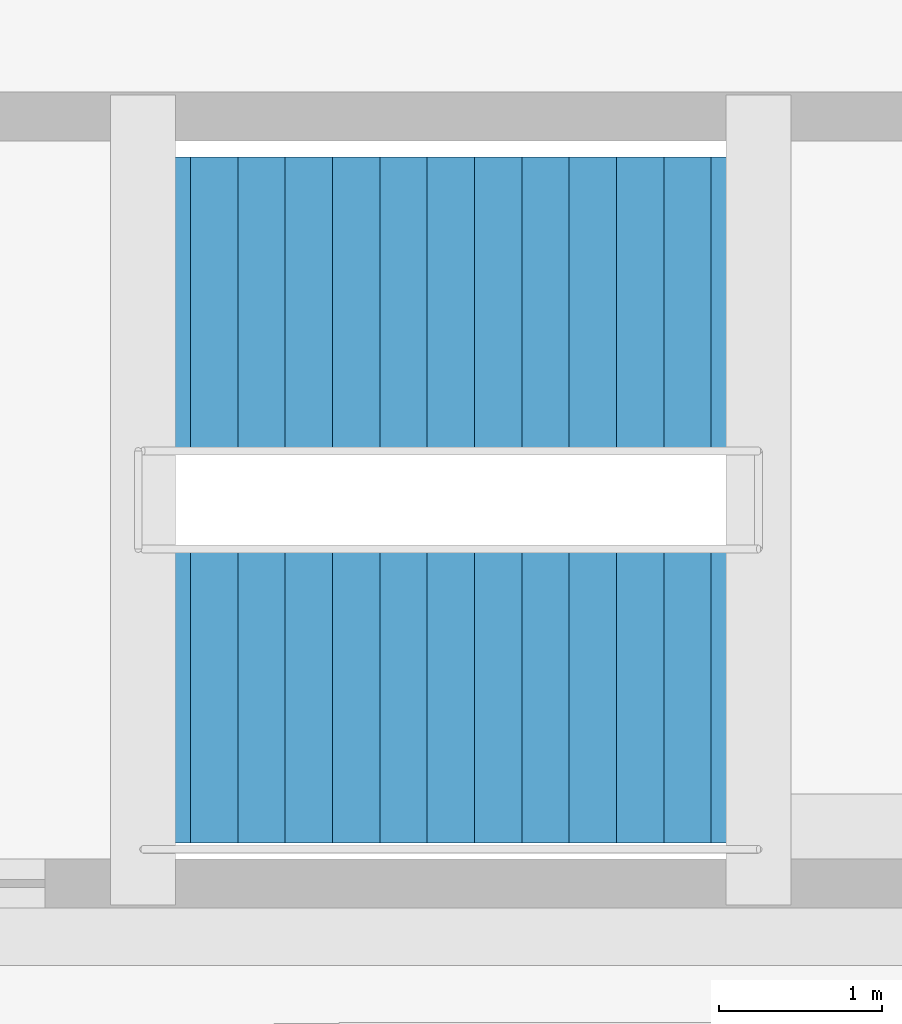
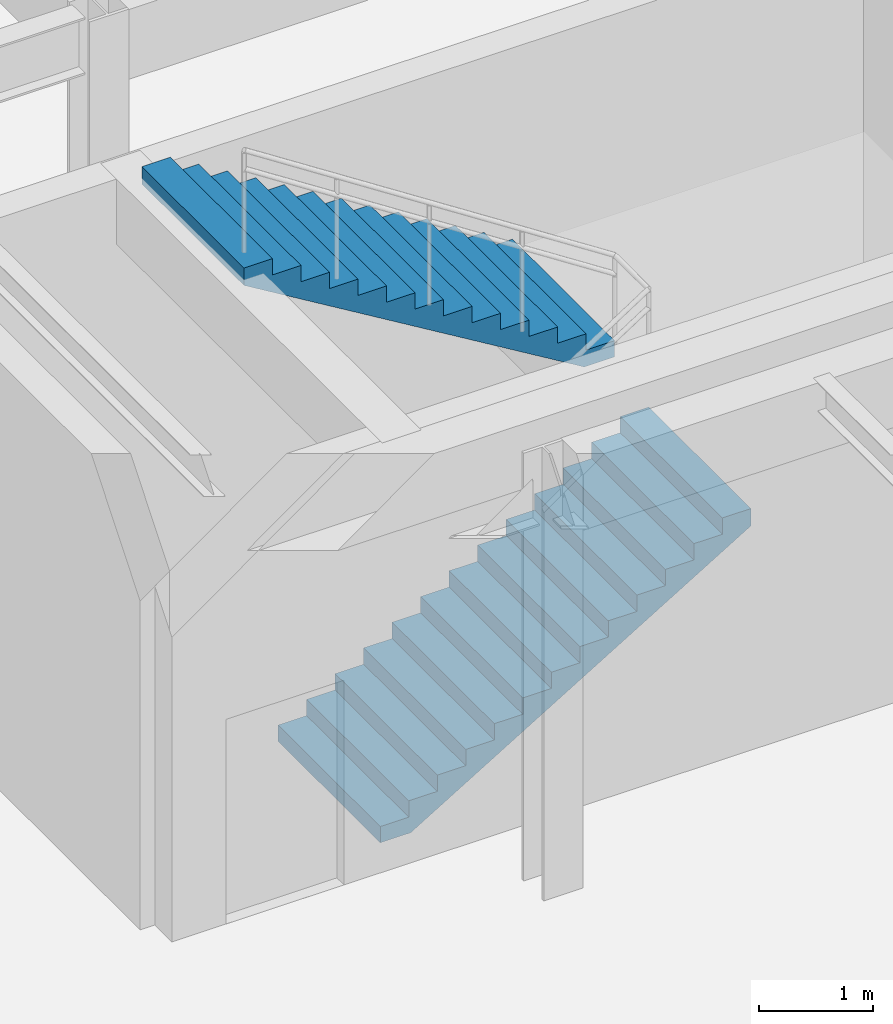
# One storey, part 49 of 60: 2 stair flights, 1 element without a shape of its own.
"""IFC4 building model written with IfcOpenShell, lengths in metres."""

from ifc_helpers import new_model, si_unit, direction, frame, origin, place, context, subcontext, project, spatial, polyline, outline, extrude, material, type_object, element, aggregate, save


model = new_model("IFC4")

# Units and contexts
model_context = context("Model", 3, precision=1e-05, world=origin(), true_north=direction((0.0, 1.0)))
body_context = subcontext(model_context, "Body", "Model", "MODEL_VIEW")
ifc_project = project(units=[si_unit("LENGTHUNIT", "METRE"), si_unit("AREAUNIT", "SQUARE_METRE"), si_unit("VOLUMEUNIT", "CUBIC_METRE"), si_unit("PLANEANGLEUNIT", "RADIAN"), si_unit("MASSUNIT", "GRAM", prefix="KILO")], contexts=[model_context])

# Site, building, storey
site_placement = place(None, origin())
site = spatial("IfcSite", under=ifc_project, at=site_placement, CompositionType="ELEMENT")
building_placement = place(site_placement, origin())
building = spatial("IfcBuilding", under=site, at=building_placement, Name="Varnela Railside Interchange", CompositionType="ELEMENT")
storey_placement = place(building_placement, frame((0.0, 0.0, 6.300048828125)))
storey = spatial("IfcBuildingStorey", under=building, at=storey_placement, Name="L01", CompositionType="ELEMENT", Elevation=6.300048828125)

# Stair, stair flights
ifc_material = material(Name="Concrete C40", Category="concrete")
stair_type = type_object("IfcStairType", Name="Study Pavilion Stair ST-180", PredefinedType="TWO_STRAIGHT_RUN_STAIR", material=ifc_material)
stair_placement = place(storey_placement, origin())
stair = element("IfcStair", 1, at=stair_placement, inside=storey, type_object=stair_type, Name="Stair ST-E2 (L01) (SF-139)", PredefinedType="TWO_STRAIGHT_RUN_STAIR")
stair_flight_type = type_object("IfcStairFlightType", Name="Concrete Stair Flight SF-180", PredefinedType="STRAIGHT", material=ifc_material)
stair_flight_1_placement = place(storey_placement, frame((131.0, 80.199951171875, 0.0), z_axis=(0.0, 0.0, 1.0), x_axis=(1.0, 0.0, 0.0)))
stair_flight_1 = element("IfcStairFlight", 2, at=stair_flight_1_placement, type_object=stair_flight_type, Name="ST-E2 flight 1 (SF-140)", NumberOfRisers=14, NumberOfTreads=13, PredefinedType="STRAIGHT", RiserHeight=0.175, TreadLength=0.29, context=body_context, shape_type="SweptSolid", body=[
    extrude(outline(polyline([(0.0, 0.0), (0.0, 0.175048828125), (0.2900390625, 0.175048828125), (0.2900390625, 0.35009765625), (0.580078125, 0.35009765625), (0.580078125, 0.52490234375), (0.8701171875, 0.52490234375), (0.8701171875, 0.699951171875), (1.159912109375, 0.699951171875), (1.159912109375, 0.875), (1.449951171875, 0.875), (1.449951171875, 1.050048828125), (1.739990234375, 1.050048828125), (1.739990234375, 1.22509765625), (2.030029296875, 1.22509765625), (2.030029296875, 1.39990234375), (2.320068359375, 1.39990234375), (2.320068359375, 1.574951171875), (2.610107421875, 1.574951171875), (2.610107421875, 1.75), (2.89990234375, 1.75), (2.89990234375, 1.925048828125), (3.18994140625, 1.925048828125), (3.18994140625, 2.10009765625), (3.47998046875, 2.10009765625), (3.47998046875, 2.27490234375), (3.77001953125, 2.27490234375), (3.77001953125, 2.449951171875), (3.77001953125, 2.088134765625), (0.3095703125, 0.0), (0.0, 0.0)])), frame((0.0, 0.89990234375, 0.0), z_axis=(0.0, -1.0, 0.0), x_axis=(1.0, 0.0, 0.0)), (0.0, 0.0, 1.0), 1.800048828125),
])
stair_flight_2_placement = place(storey_placement, frame((134.77001953125, 82.60009765625, 2.449951171875), z_axis=(0.0, 0.0, 1.0), x_axis=(-1.0, 0.0, 0.0)))
stair_flight_2 = element("IfcStairFlight", 3, at=stair_flight_2_placement, type_object=stair_flight_type, Name="ST-E2 flight 2 (SF-141)", NumberOfRisers=14, NumberOfTreads=13, PredefinedType="STRAIGHT", RiserHeight=0.175, TreadLength=0.29, context=body_context, shape_type="SweptSolid", body=[
    extrude(outline(polyline([(0.0, 0.0), (0.0, 0.175048828125), (0.2900390625, 0.175048828125), (0.2900390625, 0.35009765625), (0.580078125, 0.35009765625), (0.580078125, 0.52490234375), (0.8701171875, 0.52490234375), (0.8701171875, 0.699951171875), (1.159912109375, 0.699951171875), (1.159912109375, 0.875), (1.449951171875, 0.875), (1.449951171875, 1.050048828125), (1.739990234375, 1.050048828125), (1.739990234375, 1.22509765625), (2.030029296875, 1.22509765625), (2.030029296875, 1.39990234375), (2.320068359375, 1.39990234375), (2.320068359375, 1.574951171875), (2.610107421875, 1.574951171875), (2.610107421875, 1.75), (2.89990234375, 1.75), (2.89990234375, 1.925048828125), (3.18994140625, 1.925048828125), (3.18994140625, 2.10009765625), (3.47998046875, 2.10009765625), (3.47998046875, 2.27490234375), (3.77001953125, 2.27490234375), (3.77001953125, 2.449951171875), (3.77001953125, 2.088134765625), (0.3095703125, 0.0), (0.0, 0.0)])), frame((0.0, 0.89990234375, 0.0), z_axis=(0.0, -1.0, 0.0), x_axis=(1.0, 0.0, 0.0)), (0.0, 0.0, 1.0), 1.800048828125),
])
aggregate(stair, [stair_flight_1, stair_flight_2])

save(model, "model.ifc")
